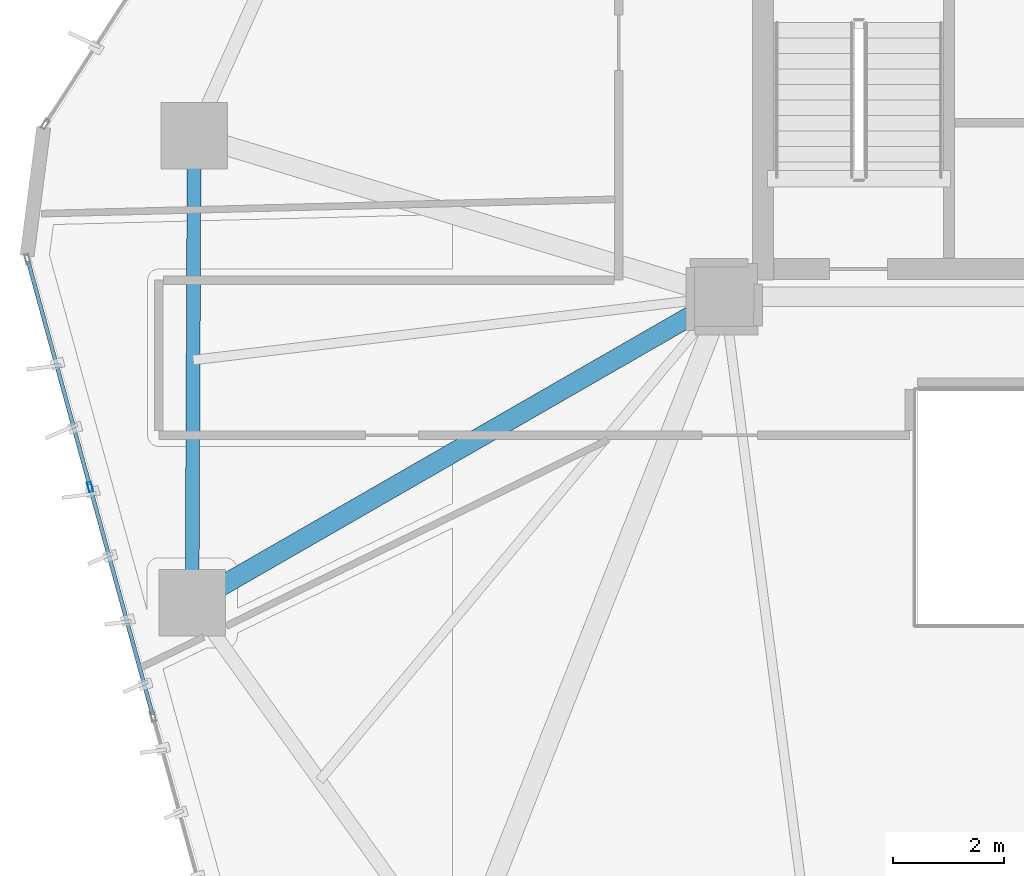
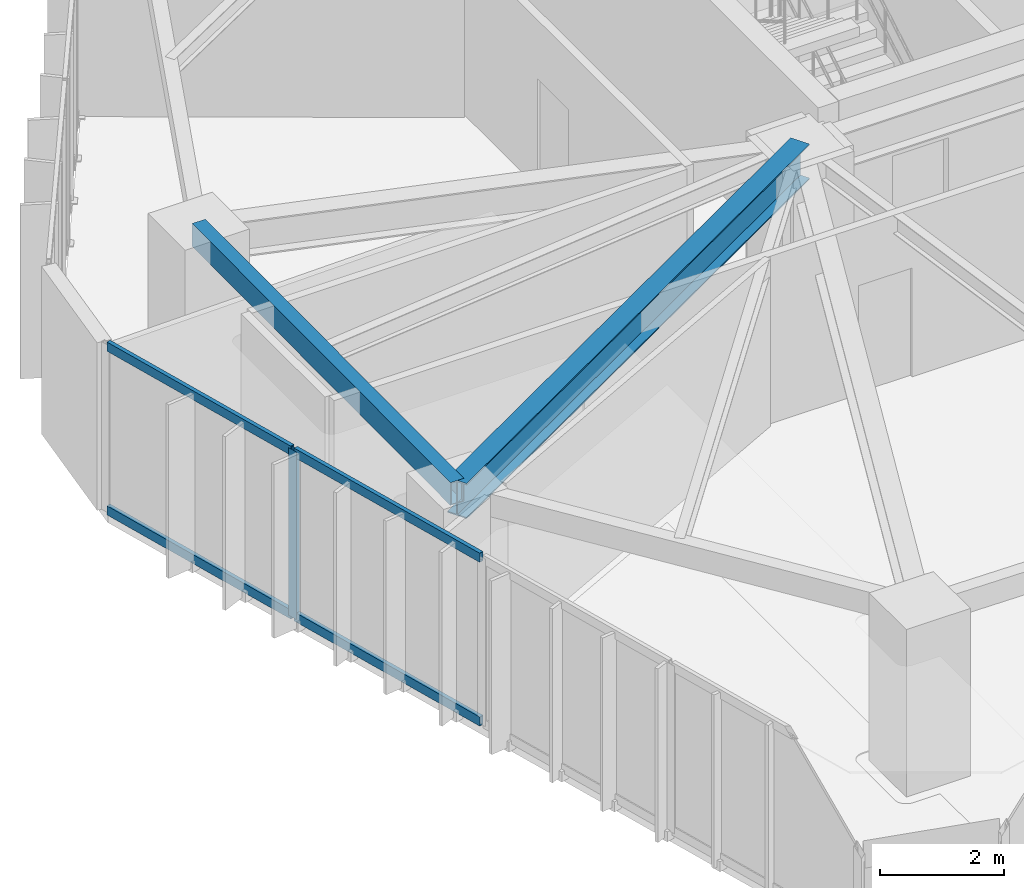
# One storey, part 4 of 21: 5 members, 2 beams, 1 element without a shape of its own.
"""IFC4 building model written with IfcOpenShell, lengths in metres."""

from ifc_helpers import new_model, si_unit, direction, frame, origin, origin_2d, place, context, subcontext, project, spatial, hollow_rectangle, i_section, extrude, source, transform, mapped, material, layer, layer_set, material_profile, profile_set, type_object, type_shapes, element, aggregate, save


model = new_model("IFC4")

# Units and contexts
model_context = context("Model", 3, precision=1e-05, world=origin(), true_north=direction((0.0, 1.0)))
body_context = subcontext(model_context, "Body", "Model", "MODEL_VIEW")
ifc_project = project(units=[si_unit("LENGTHUNIT", "METRE"), si_unit("AREAUNIT", "SQUARE_METRE"), si_unit("VOLUMEUNIT", "CUBIC_METRE"), si_unit("PLANEANGLEUNIT", "RADIAN"), si_unit("MASSUNIT", "GRAM", prefix="KILO")], contexts=[model_context])

# Site, building, storey
site_placement = place(None, origin())
site = spatial("IfcSite", under=ifc_project, at=site_placement, CompositionType="ELEMENT")
building_placement = place(site_placement, origin())
building = spatial("IfcBuilding", under=site, at=building_placement, Name="Talar Marvaseh", CompositionType="ELEMENT")
storey_placement = place(building_placement, frame((0.0, 0.0, 129.0)))
storey = spatial("IfcBuildingStorey", under=building, at=storey_placement, Name="L33", CompositionType="ELEMENT", Elevation=129.0)

# Beams
ifc_material_1 = material(Name="Steel S355", Category="steel")
ifc_material_profile_1 = material_profile(ifc_material_1, hollow_rectangle(XDim=0.25, YDim=0.449951171875, WallThickness=0.01611328125, at=origin_2d()), Name="RHS450x250x16")
ifc_profile_set_1 = profile_set([ifc_material_profile_1], Name="Steel S355")
beam_type_1 = type_object("IfcBeamType", Name="Zone 2 Perimeter Spandrel Beam RHS450x250x16", PredefinedType="SPANDREL", material=ifc_profile_set_1)
beam_1_placement = place(storey_placement, frame((9.10107421875, 19.97705078125, 3.0849609375), z_axis=(0.004375628226, 0.999990426893, 0.0), x_axis=(-0.999990426893, 0.004375628226, 0.0)))
element("IfcBeam", 1, at=beam_1_placement, inside=storey, type_object=beam_type_1, Name="L33 Zone 2 Perimeter Spandrel Beam RHS450x250x16", PredefinedType="SPANDREL", context=body_context, shape_type="SweptSolid", body=[
    extrude(hollow_rectangle(XDim=0.25, YDim=0.449951171875, WallThickness=0.01611328125, at=origin_2d()), origin(), (0.0, 0.0, 1.0), 8.425048828125),
])
ifc_material_profile_2 = material_profile(ifc_material_1, i_section(OverallWidth=0.35498046875, OverallDepth=0.695068359375, WebThickness=0.015380859375, FlangeThickness=0.02490234375, at=origin_2d()), Name="W690x217")
ifc_profile_set_2 = profile_set([ifc_material_profile_2], Name="Steel S355")
beam_type_2 = type_object("IfcBeamType", Name="Zone 2 Radial Floor Girder W690x217", PredefinedType="BEAM", material=ifc_profile_set_2)
beam_2_placement = place(storey_placement, frame((9.10107421875, 19.97705078125, 2.96240234375), z_axis=(0.866765990926, 0.498715065919, 0.0), x_axis=(-0.498715065919, 0.866765990926, 0.0)))
element("IfcBeam", 2, at=beam_2_placement, inside=storey, type_object=beam_type_2, Name="L33 Zone 2 Radial Floor Girder W690x217", PredefinedType="BEAM", context=body_context, shape_type="SweptSolid", body=[
    extrude(i_section(OverallWidth=0.35498046875, OverallDepth=0.695068359375, WebThickness=0.015380859375, FlangeThickness=0.02490234375, at=origin_2d()), origin(), (0.0, 0.0, 1.0), 11.074462890625),
])

# Curtain wall, members
ifc_material_2 = material(Name="Architectural Aluminium", Category="aluminium")
ifc_layer = layer(ifc_material_2, 0.199951171875)
ifc_layer_set = layer_set([ifc_layer], Name="Architectural Aluminium")
curtain_wall_type = type_object("IfcCurtainWallType", Name="Unitised Acoustic Library Curtain Wall Z2", PredefinedType="NOTDEFINED", material=ifc_layer_set)
curtain_wall_placement = place(storey_placement, origin())
curtain_wall = element("IfcCurtainWall", 3, at=curtain_wall_placement, inside=storey, type_object=curtain_wall_type, Name="L33 Unitised Acoustic Library Curtain Wall Z2", PredefinedType="NOTDEFINED")
ifc_material_profile_3 = material_profile(ifc_material_2, hollow_rectangle(XDim=0.074951171875, YDim=0.179931640625, WallThickness=0.0048828125, at=origin_2d()), Name="RHS180x75x5")
ifc_profile_set_3 = profile_set([ifc_material_profile_3], Name="Architectural Aluminium")
member_type_1 = type_object("IfcMemberType", Name="Unitised Curtain Wall Standard Mullion RHS180x75x5", PredefinedType="MULLION", material=ifc_profile_set_3)
shared_shape_1 = source(origin(), body_context, "Body", "SweptSolid", [
    extrude(hollow_rectangle(XDim=0.074951171875, YDim=0.179931640625, WallThickness=0.0048828125, at=origin_2d()), origin(), (0.0, 0.0, 1.0), 3.31005859375),
])
type_shapes(member_type_1, [shared_shape_1])
member_1_placement = place(storey_placement, frame((7.26171875, 22.068359375, 0.0), z_axis=(0.0, 0.0, 1.0), x_axis=(-0.964345274109, -0.264647297933, 0.0)))
member_1 = element("IfcMember", 4, at=member_1_placement, type_object=member_type_1, Name="CW-Z2 mullion 4", PredefinedType="MULLION", context=body_context, shape_type="MappedRepresentation", body=[
    mapped(shared_shape_1, transform((0.0, 0.0, 0.0), x_axis=(1.0, 0.0, 0.0), y_axis=(0.0, 1.0, 0.0), z_axis=(0.0, 0.0, 1.0), scale=1.0)),
])
ifc_material_profile_4 = material_profile(ifc_material_2, hollow_rectangle(XDim=0.074951171875, YDim=0.179931640625, WallThickness=0.0048828125, at=origin_2d()), Name="RHS180x75x5")
ifc_profile_set_4 = profile_set([ifc_material_profile_4], Name="Architectural Aluminium")
member_type_2 = type_object("IfcMemberType", Name="Unitised Curtain Wall Transom RHS180x75x5", PredefinedType="USERDEFINED", material=ifc_profile_set_4)
shared_shape_2 = source(origin(), body_context, "Body", "SweptSolid", [
    extrude(hollow_rectangle(XDim=0.074951171875, YDim=0.179931640625, WallThickness=0.0048828125, at=origin_2d()), origin(), (0.0, 0.0, 1.0), 4.185302734375),
])
member_2_placement = place(storey_placement, frame((7.251953125, 22.1044921875, 0.03759765625), z_axis=(-0.264652100694, 0.964343956065, 0.0), x_axis=(-0.964343956065, -0.264652100694, 0.0)))
member_2 = element("IfcMember", 5, at=member_2_placement, type_object=member_type_2, Name="CW-Z2 transom 4.1", ObjectType="TRANSOM", PredefinedType="USERDEFINED", context=body_context, shape_type="MappedRepresentation", body=[
    mapped(shared_shape_2, transform((0.0, 0.0, 0.0), x_axis=(1.0, 0.0, 0.0), y_axis=(0.0, 1.0, 0.0), z_axis=(0.0, 0.0, 1.0), scale=1.0)),
])
member_3_placement = place(storey_placement, frame((7.251953125, 22.1044921875, 3.2724609375), z_axis=(-0.264652100694, 0.964343956065, 0.0), x_axis=(-0.964343956065, -0.264652100694, 0.0)))
member_3 = element("IfcMember", 6, at=member_3_placement, type_object=member_type_2, Name="CW-Z2 transom 4.2", ObjectType="TRANSOM", PredefinedType="USERDEFINED", context=body_context, shape_type="MappedRepresentation", body=[
    mapped(shared_shape_2, transform((0.0, 0.0, 0.0), x_axis=(1.0, 0.0, 0.0), y_axis=(0.0, 1.0, 0.0), z_axis=(0.0, 0.0, 1.0), scale=1.0)),
])
shared_shape_3 = source(origin(), body_context, "Body", "SweptSolid", [
    extrude(hollow_rectangle(XDim=0.074951171875, YDim=0.179931640625, WallThickness=0.0048828125, at=origin_2d()), origin(), (0.0, 0.0, 1.0), 4.222900390625),
])
type_shapes(member_type_2, [shared_shape_2, shared_shape_3])
member_4_placement = place(storey_placement, frame((8.389404296875, 17.9599609375, 0.03759765625), z_axis=(-0.264672706319, 0.964338300873, 0.0), x_axis=(-0.964338300873, -0.264672706319, 0.0)))
member_4 = element("IfcMember", 7, at=member_4_placement, type_object=member_type_2, Name="CW-Z2 transom 3.1", ObjectType="TRANSOM", PredefinedType="USERDEFINED", context=body_context, shape_type="MappedRepresentation", body=[
    mapped(shared_shape_3, transform((0.0, 0.0, 0.0), x_axis=(1.0, 0.0, 0.0), y_axis=(0.0, 1.0, 0.0), z_axis=(0.0, 0.0, 1.0), scale=1.0)),
])
member_5_placement = place(storey_placement, frame((8.389404296875, 17.9599609375, 3.2724609375), z_axis=(-0.264672706319, 0.964338300873, 0.0), x_axis=(-0.964338300873, -0.264672706319, 0.0)))
member_5 = element("IfcMember", 8, at=member_5_placement, type_object=member_type_2, Name="CW-Z2 transom 3.2", ObjectType="TRANSOM", PredefinedType="USERDEFINED", context=body_context, shape_type="MappedRepresentation", body=[
    mapped(shared_shape_3, transform((0.0, 0.0, 0.0), x_axis=(1.0, 0.0, 0.0), y_axis=(0.0, 1.0, 0.0), z_axis=(0.0, 0.0, 1.0), scale=1.0)),
])
aggregate(curtain_wall, [member_1, member_4, member_5, member_2, member_3])

save(model, "model.ifc")
